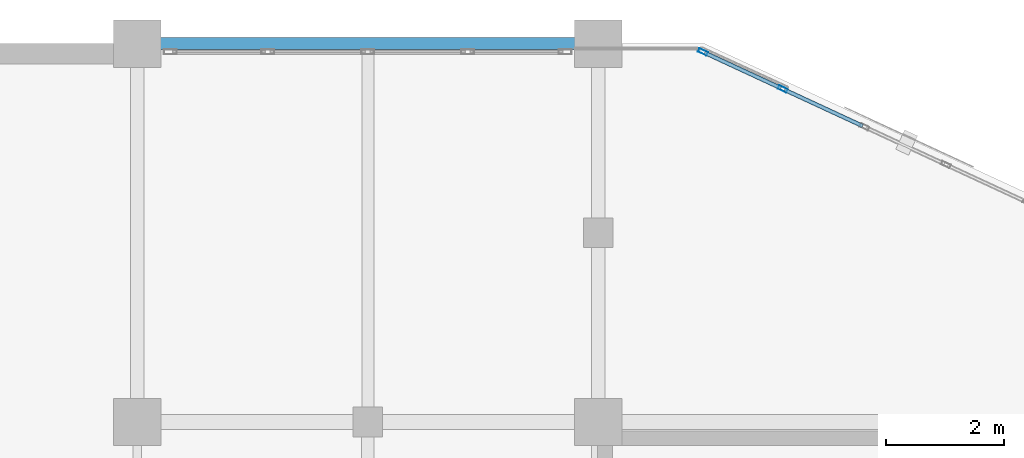
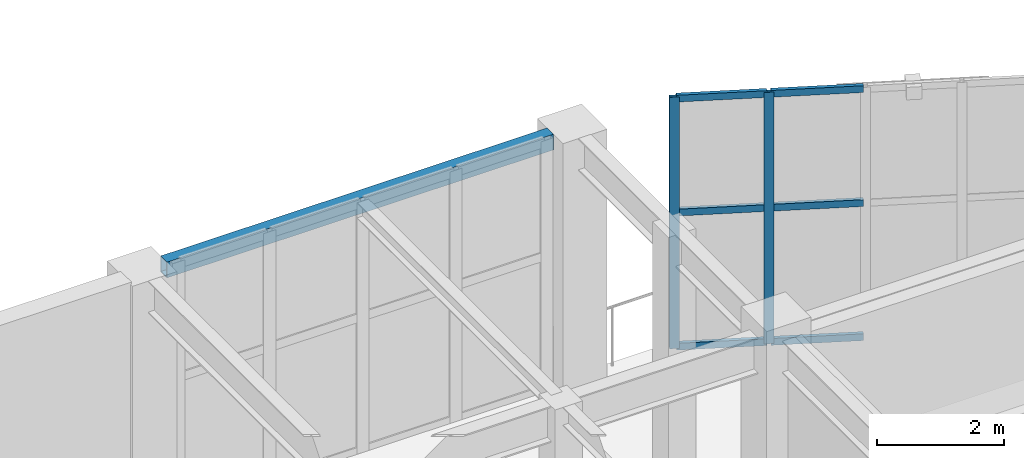
# One storey, part 92 of 128: 8 members, 1 beam, 1 element without a shape of its own.
"""IFC4 building model written with IfcOpenShell, lengths in metres."""

from ifc_helpers import new_model, si_unit, direction, frame, origin, origin_2d, place, context, subcontext, project, spatial, hollow_rectangle, extrude, material, layer, layer_set, material_profile, profile_set, type_object, element, aggregate, save


model = new_model("IFC4")

# Units and contexts
model_context = context("Model", 3, precision=1e-05, world=origin(), true_north=direction((0.0, 1.0)))
body_context = subcontext(model_context, "Body", "Model", "MODEL_VIEW")
ifc_project = project(units=[si_unit("LENGTHUNIT", "METRE"), si_unit("AREAUNIT", "SQUARE_METRE"), si_unit("VOLUMEUNIT", "CUBIC_METRE"), si_unit("PLANEANGLEUNIT", "RADIAN"), si_unit("MASSUNIT", "GRAM", prefix="KILO")], contexts=[model_context])

# Site, building, storey
site_placement = place(None, origin())
site = spatial("IfcSite", under=ifc_project, at=site_placement, CompositionType="ELEMENT")
building_placement = place(site_placement, origin())
building = spatial("IfcBuilding", under=site, at=building_placement, Name="Xicomal Pleat Aquarium", CompositionType="ELEMENT")
storey_placement = place(building_placement, frame((0.0, 0.0, 5.39990234375)))
storey = spatial("IfcBuildingStorey", under=building, at=storey_placement, Name="L02", CompositionType="ELEMENT", Elevation=5.39990234375)

# Beam
ifc_material_1 = material(Name="Structural steel A500 Gr C", Category="steel")
ifc_material_profile_1 = material_profile(ifc_material_1, hollow_rectangle(XDim=0.199951171875, YDim=0.300048828125, WallThickness=0.011962890625, at=origin_2d()), Name="OR 300x200x12")
ifc_profile_set_1 = profile_set([ifc_material_profile_1], Name="Structural steel A500 Gr C")
beam_type = type_object("IfcBeamType", Name="BM-STL-OR300", PredefinedType="SPANDREL", material=ifc_profile_set_1)
beam_placement = place(storey_placement, frame((134.195068359375, 104.800048828125, 4.670166015625), z_axis=(1.0, 0.0, 0.0), x_axis=(0.0, 1.0, 0.0)))
element("IfcBeam", 1, at=beam_placement, inside=storey, type_object=beam_type, Name="L02 framing beam FGX-L02-17-18-Q", PredefinedType="SPANDREL", context=body_context, shape_type="SweptSolid", body=[
    extrude(hollow_rectangle(XDim=0.199951171875, YDim=0.300048828125, WallThickness=0.011962890625, at=origin_2d()), origin(), (0.0, 0.0, 1.0), 7.010009765625),
])

# Curtain wall, members
ifc_material_2 = material(Name="Bronze anodized aluminium 6063-T6", Category="aluminium")
ifc_layer = layer(ifc_material_2, 0.159912109375)
ifc_layer_set = layer_set([ifc_layer], Name="Bronze anodized aluminium 6063-T6")
curtain_wall_type = type_object("IfcCurtainWallType", Name="CW-SYS-02", PredefinedType="NOTDEFINED", material=ifc_layer_set)
curtain_wall_placement = place(storey_placement, origin())
curtain_wall = element("IfcCurtainWall", 2, at=curtain_wall_placement, inside=storey, type_object=curtain_wall_type, Name="L02 unitised curtain wall CW-L02-090", PredefinedType="NOTDEFINED")
ifc_material_3 = material(Name="Bronze anodized aluminium 6063-T6", Category="aluminium")
ifc_material_profile_2 = material_profile(ifc_material_3, hollow_rectangle(XDim=0.06494140625, YDim=0.159912109375, WallThickness=0.00390625, at=origin_2d()), Name="ALU MULL 65x160")
ifc_profile_set_2 = profile_set([ifc_material_profile_2], Name="Bronze anodized aluminium 6063-T6")
member_type_1 = type_object("IfcMemberType", Name="CWM-65x160", PredefinedType="MULLION", material=ifc_profile_set_2)
member_1_placement = place(storey_placement, frame((143.37060546875, 104.6591796875, 0.0), z_axis=(0.0, 0.0, 1.0), x_axis=(0.420724978275, 0.907188234412, 0.0)))
member_1 = element("IfcMember", 3, at=member_1_placement, type_object=member_type_1, Name="CW-02 mullion 1", PredefinedType="MULLION", context=body_context, shape_type="SweptSolid", body=[
    extrude(hollow_rectangle(XDim=0.06494140625, YDim=0.159912109375, WallThickness=0.00390625, at=origin_2d()), origin(), (0.0, 0.0, 1.0), 4.820068359375),
])
member_2_placement = place(storey_placement, frame((144.720947265625, 104.032958984375, 0.0), z_axis=(0.0, 0.0, 1.0), x_axis=(0.420724978275, 0.907188234412, 0.0)))
member_2 = element("IfcMember", 4, at=member_2_placement, type_object=member_type_1, Name="CW-02 mullion 2", PredefinedType="MULLION", context=body_context, shape_type="SweptSolid", body=[
    extrude(hollow_rectangle(XDim=0.06494140625, YDim=0.159912109375, WallThickness=0.00390625, at=origin_2d()), origin(), (0.0, 0.0, 1.0), 4.820068359375),
])
ifc_material_4 = material(Name="Bronze anodized aluminium 6063-T6", Category="aluminium")
ifc_material_profile_3 = material_profile(ifc_material_4, hollow_rectangle(XDim=0.06494140625, YDim=0.1298828125, WallThickness=0.00390625, at=origin_2d()), Name="ALU TRAN 65x130")
ifc_profile_set_3 = profile_set([ifc_material_profile_3], Name="Bronze anodized aluminium 6063-T6")
member_type_2 = type_object("IfcMemberType", Name="CWT-65x130", PredefinedType="USERDEFINED", material=ifc_profile_set_3)
member_3_placement = place(storey_placement, frame((143.39990234375, 104.645751953125, 0.03271484375), z_axis=(0.907144595505, -0.420819061885, 0.0), x_axis=(0.420819061885, 0.907144595505, 0.0)))
member_3 = element("IfcMember", 5, at=member_3_placement, type_object=member_type_2, Name="CW-02 transom 1.1", ObjectType="TRANSOM", PredefinedType="USERDEFINED", context=body_context, shape_type="SweptSolid", body=[
    extrude(hollow_rectangle(XDim=0.06494140625, YDim=0.1298828125, WallThickness=0.00390625, at=origin_2d()), origin(), (0.0, 0.0, 1.0), 1.423583984375),
])
member_4_placement = place(storey_placement, frame((143.39990234375, 104.645751953125, 2.60302734375), z_axis=(0.907144595505, -0.420819061885, 0.0), x_axis=(0.420819061885, 0.907144595505, 0.0)))
member_4 = element("IfcMember", 6, at=member_4_placement, type_object=member_type_2, Name="CW-02 transom 1.2", ObjectType="TRANSOM", PredefinedType="USERDEFINED", context=body_context, shape_type="SweptSolid", body=[
    extrude(hollow_rectangle(XDim=0.06494140625, YDim=0.1298828125, WallThickness=0.00390625, at=origin_2d()), origin(), (0.0, 0.0, 1.0), 1.423583984375),
])
member_5_placement = place(storey_placement, frame((143.39990234375, 104.645751953125, 4.78759765625), z_axis=(0.907144595505, -0.420819061885, 0.0), x_axis=(0.420819061885, 0.907144595505, 0.0)))
member_5 = element("IfcMember", 7, at=member_5_placement, type_object=member_type_2, Name="CW-02 transom 1.3", ObjectType="TRANSOM", PredefinedType="USERDEFINED", context=body_context, shape_type="SweptSolid", body=[
    extrude(hollow_rectangle(XDim=0.06494140625, YDim=0.1298828125, WallThickness=0.00390625, at=origin_2d()), origin(), (0.0, 0.0, 1.0), 1.423583984375),
])
member_6_placement = place(storey_placement, frame((144.75048828125, 104.019287109375, 0.03271484375), z_axis=(0.907216982564, -0.420662984523, 0.0), x_axis=(0.420662984523, 0.907216982564, 0.0)))
member_6 = element("IfcMember", 8, at=member_6_placement, type_object=member_type_2, Name="CW-02 transom 2.1", ObjectType="TRANSOM", PredefinedType="USERDEFINED", context=body_context, shape_type="SweptSolid", body=[
    extrude(hollow_rectangle(XDim=0.06494140625, YDim=0.1298828125, WallThickness=0.00390625, at=origin_2d()), origin(), (0.0, 0.0, 1.0), 1.4560546875),
])
member_7_placement = place(storey_placement, frame((144.75048828125, 104.019287109375, 2.60302734375), z_axis=(0.907216982564, -0.420662984523, 0.0), x_axis=(0.420662984523, 0.907216982564, 0.0)))
member_7 = element("IfcMember", 9, at=member_7_placement, type_object=member_type_2, Name="CW-02 transom 2.2", ObjectType="TRANSOM", PredefinedType="USERDEFINED", context=body_context, shape_type="SweptSolid", body=[
    extrude(hollow_rectangle(XDim=0.06494140625, YDim=0.1298828125, WallThickness=0.00390625, at=origin_2d()), origin(), (0.0, 0.0, 1.0), 1.4560546875),
])
member_8_placement = place(storey_placement, frame((144.75048828125, 104.019287109375, 4.78759765625), z_axis=(0.907216982564, -0.420662984523, 0.0), x_axis=(0.420662984523, 0.907216982564, 0.0)))
member_8 = element("IfcMember", 10, at=member_8_placement, type_object=member_type_2, Name="CW-02 transom 2.3", ObjectType="TRANSOM", PredefinedType="USERDEFINED", context=body_context, shape_type="SweptSolid", body=[
    extrude(hollow_rectangle(XDim=0.06494140625, YDim=0.1298828125, WallThickness=0.00390625, at=origin_2d()), origin(), (0.0, 0.0, 1.0), 1.4560546875),
])
aggregate(curtain_wall, [member_1, member_2, member_3, member_4, member_5, member_6, member_7, member_8])

save(model, "model.ifc")
